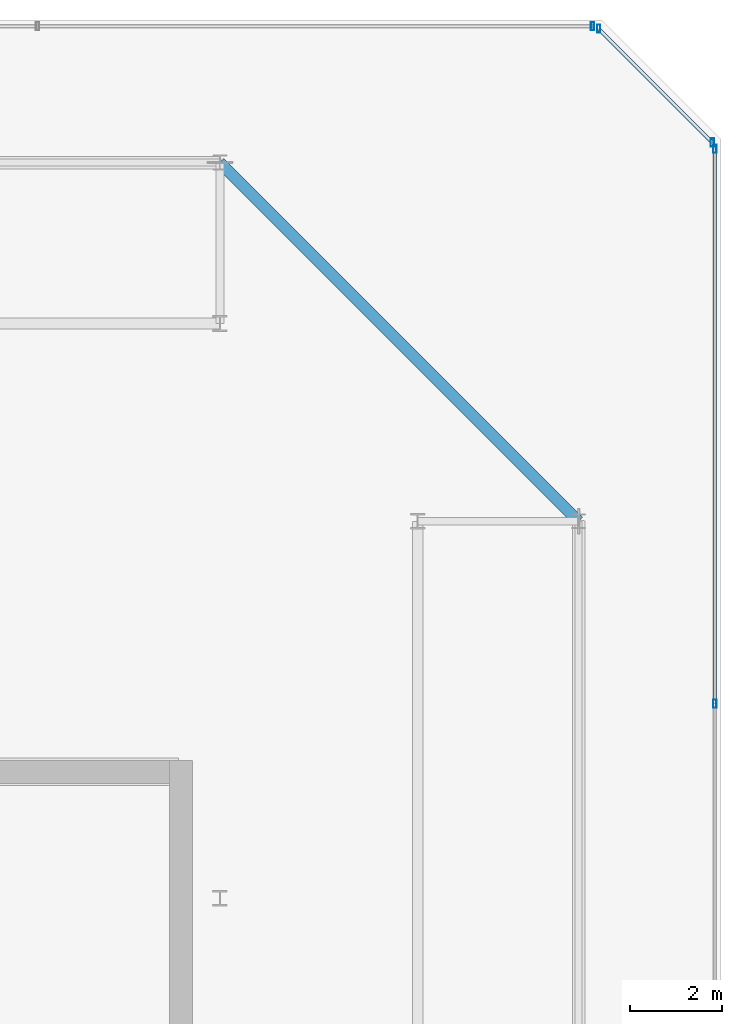
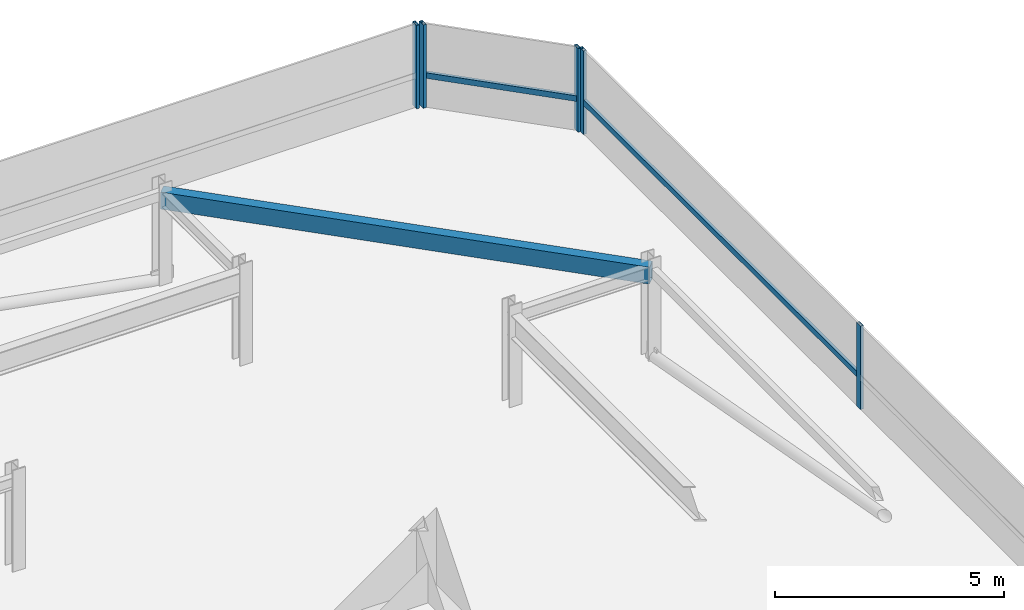
# One storey, part 36 of 42: 7 members, 1 beam, 3 elements without a shape of their own.
"""IFC4 building model written with IfcOpenShell, lengths in metres."""

from ifc_helpers import new_model, si_unit, direction, frame, origin, origin_2d, place, context, subcontext, project, spatial, hollow_rectangle, extrude, material, material_profile, profile_set, type_object, element, aggregate, save


model = new_model("IFC4")

# Units and contexts
model_context = context("Model", 3, precision=1e-05, world=origin(), true_north=direction((0.0, 1.0)))
body_context = subcontext(model_context, "Body", "Model", "MODEL_VIEW")
ifc_project = project(units=[si_unit("LENGTHUNIT", "METRE"), si_unit("AREAUNIT", "SQUARE_METRE"), si_unit("VOLUMEUNIT", "CUBIC_METRE"), si_unit("PLANEANGLEUNIT", "RADIAN"), si_unit("MASSUNIT", "GRAM", prefix="KILO")], contexts=[model_context])

# Site, building, storey
site_placement = place(None, origin())
site = spatial("IfcSite", under=ifc_project, at=site_placement, CompositionType="ELEMENT")
building_placement = place(site_placement, origin())
building = spatial("IfcBuilding", under=site, at=building_placement, Name="Thornwick Lancets Civic Towers", CompositionType="ELEMENT")
storey_placement = place(building_placement, frame((0.0, 0.0, 286.800048828125)))
storey = spatial("IfcBuildingStorey", under=building, at=storey_placement, Name="C03", CompositionType="ELEMENT", Elevation=286.800048828125)

# Beam
ifc_material_1 = material(Name="Steel S355JR", Category="steel")
ifc_material_profile_1 = material_profile(ifc_material_1, hollow_rectangle(XDim=0.25, YDim=0.449951171875, WallThickness=0.01611328125, at=origin_2d()), Name="RHS 450x250x16")
ifc_profile_set_1 = profile_set([ifc_material_profile_1], Name="Steel S355JR")
beam_type = type_object("IfcBeamType", Name="BM_RING_RHS450", PredefinedType="BEAM", material=ifc_profile_set_1)
beam_placement = place(storey_placement, frame((109.300048828125, 40.0, 2.21484375), z_axis=(-0.707106781187, 0.707106781187, 0.0), x_axis=(-0.707106781187, -0.707106781187, 0.0)))
element("IfcBeam", 1, at=beam_placement, inside=storey, type_object=beam_type, Name="BM-CHAMF-C03-B-C0", PredefinedType="BEAM", context=body_context, shape_type="SweptSolid", body=[
    extrude(hollow_rectangle(XDim=0.25, YDim=0.449951171875, WallThickness=0.01611328125, at=origin_2d()), origin(), (0.0, 0.0, 1.0), 11.031005859375),
])

# Curtain wall, members
ifc_material_2 = material(Name="Crown ring acoustic-louvre and glazing screen wall", Category="glass")
curtain_wall_type = type_object("IfcCurtainWallType", Name="CW_SYS_07", PredefinedType="NOTDEFINED", material=ifc_material_2)
curtain_wall_1_placement = place(storey_placement, origin())
curtain_wall_1 = element("IfcCurtainWall", 2, at=curtain_wall_1_placement, inside=storey, type_object=curtain_wall_type, Name="C03 Curtain Wall CW-C03-B-E2", PredefinedType="NOTDEFINED")
ifc_material_3 = material(Name="Thermally broken bronze aluminium S355", Category="steel")
ifc_material_profile_2 = material_profile(ifc_material_3, hollow_rectangle(XDim=0.074951171875, YDim=0.179931640625, WallThickness=0.006103515625, at=origin_2d()), Name="RHS 180x75x6")
ifc_profile_set_2 = profile_set([ifc_material_profile_2], Name="Thermally broken bronze aluminium S355")
member_type_1 = type_object("IfcMemberType", Name="CW_MUL_180", PredefinedType="MULLION", material=ifc_profile_set_2)
member_1_placement = place(storey_placement, frame((112.2646484375, 36.03369140625, 0.0), z_axis=(0.0, 0.0, 1.0), x_axis=(1.0, 0.0, 0.0)))
member_1 = element("IfcMember", 3, at=member_1_placement, type_object=member_type_1, Name="CW-C03-B-E2 Mullion 2", PredefinedType="MULLION", context=body_context, shape_type="SweptSolid", body=[
    extrude(hollow_rectangle(XDim=0.074951171875, YDim=0.179931640625, WallThickness=0.006103515625, at=origin_2d()), origin(), (0.0, 0.0, 1.0), 2.219970703125),
])
member_2_placement = place(storey_placement, frame((112.2646484375, 48.101318359375, 0.0), z_axis=(0.0, 0.0, 1.0), x_axis=(1.0, 0.0, 0.0)))
member_2 = element("IfcMember", 4, at=member_2_placement, type_object=member_type_1, Name="CW-C03-B-E2 Mullion 3", PredefinedType="MULLION", context=body_context, shape_type="SweptSolid", body=[
    extrude(hollow_rectangle(XDim=0.074951171875, YDim=0.179931640625, WallThickness=0.006103515625, at=origin_2d()), origin(), (0.0, 0.0, 1.0), 2.219970703125),
])

curtain_wall_2_placement = place(storey_placement, origin())
curtain_wall_2 = element("IfcCurtainWall", 5, at=curtain_wall_2_placement, inside=storey, type_object=curtain_wall_type, Name="C03 Curtain Wall CW-C03-B-E3", PredefinedType="NOTDEFINED")
member_3_placement = place(storey_placement, frame((112.2080078125, 48.238037109375, 0.0), z_axis=(0.0, 0.0, 1.0), x_axis=(1.0, 0.0, 0.0)))
member_3 = element("IfcMember", 6, at=member_3_placement, type_object=member_type_1, Name="CW-C03-B-E3 Mullion 0", PredefinedType="MULLION", context=body_context, shape_type="SweptSolid", body=[
    extrude(hollow_rectangle(XDim=0.074951171875, YDim=0.179931640625, WallThickness=0.006103515625, at=origin_2d()), origin(), (0.0, 0.0, 1.0), 2.219970703125),
])
member_4_placement = place(storey_placement, frame((109.738037109375, 50.7080078125, 0.0), z_axis=(0.0, 0.0, 1.0), x_axis=(1.0, 0.0, 0.0)))
member_4 = element("IfcMember", 7, at=member_4_placement, type_object=member_type_1, Name="CW-C03-B-E3 Mullion 1", PredefinedType="MULLION", context=body_context, shape_type="SweptSolid", body=[
    extrude(hollow_rectangle(XDim=0.074951171875, YDim=0.179931640625, WallThickness=0.006103515625, at=origin_2d()), origin(), (0.0, 0.0, 1.0), 2.219970703125),
])

# Curtain wall, member
curtain_wall_3_placement = place(storey_placement, origin())
curtain_wall_3 = element("IfcCurtainWall", 8, at=curtain_wall_3_placement, inside=storey, type_object=curtain_wall_type, Name="C03 Curtain Wall CW-C03-B-E4", PredefinedType="NOTDEFINED")
member_5_placement = place(storey_placement, frame((109.601318359375, 50.7646484375, 0.0), z_axis=(0.0, 0.0, 1.0), x_axis=(1.0, 0.0, 0.0)))
member_5 = element("IfcMember", 9, at=member_5_placement, type_object=member_type_1, Name="CW-C03-B-E4 Mullion 0", PredefinedType="MULLION", context=body_context, shape_type="SweptSolid", body=[
    extrude(hollow_rectangle(XDim=0.074951171875, YDim=0.179931640625, WallThickness=0.006103515625, at=origin_2d()), origin(), (0.0, 0.0, 1.0), 2.219970703125),
])
aggregate(curtain_wall_3, [member_5])

# Member
ifc_material_profile_3 = material_profile(ifc_material_3, hollow_rectangle(XDim=0.074951171875, YDim=0.14990234375, WallThickness=0.0048828125, at=origin_2d()), Name="RHS 150x75x5")
ifc_profile_set_3 = profile_set([ifc_material_profile_3], Name="Thermally broken bronze aluminium S355")
member_type_2 = type_object("IfcMemberType", Name="CW_TRN_150", PredefinedType="USERDEFINED", material=ifc_profile_set_3)
member_6_placement = place(storey_placement, frame((112.2646484375, 36.0537109375, 0.849853515625), z_axis=(0.0, 1.0, 0.0), x_axis=(-1.0, 0.0, 0.0)))
member_6 = element("IfcMember", 10, at=member_6_placement, type_object=member_type_2, Name="CW-C03-B-E2 Transom 2", ObjectType="TRANSOM", PredefinedType="USERDEFINED", context=body_context, shape_type="SweptSolid", body=[
    extrude(hollow_rectangle(XDim=0.074951171875, YDim=0.14990234375, WallThickness=0.0048828125, at=origin_2d()), origin(), (0.0, 0.0, 1.0), 12.027587890625),
])

aggregate(curtain_wall_1, [member_1, member_2, member_6])

member_7_placement = place(storey_placement, frame((112.19384765625, 48.252197265625, 0.849853515625), z_axis=(-0.707106781187, 0.707106781187, 0.0), x_axis=(-0.707106781187, -0.707106781187, 0.0)))
member_7 = element("IfcMember", 11, at=member_7_placement, type_object=member_type_2, Name="CW-C03-B-E3 Transom 0", ObjectType="TRANSOM", PredefinedType="USERDEFINED", context=body_context, shape_type="SweptSolid", body=[
    extrude(hollow_rectangle(XDim=0.074951171875, YDim=0.14990234375, WallThickness=0.0048828125, at=origin_2d()), origin(), (0.0, 0.0, 1.0), 3.453125),
])

aggregate(curtain_wall_2, [member_3, member_4, member_7])

save(model, "model.ifc")
